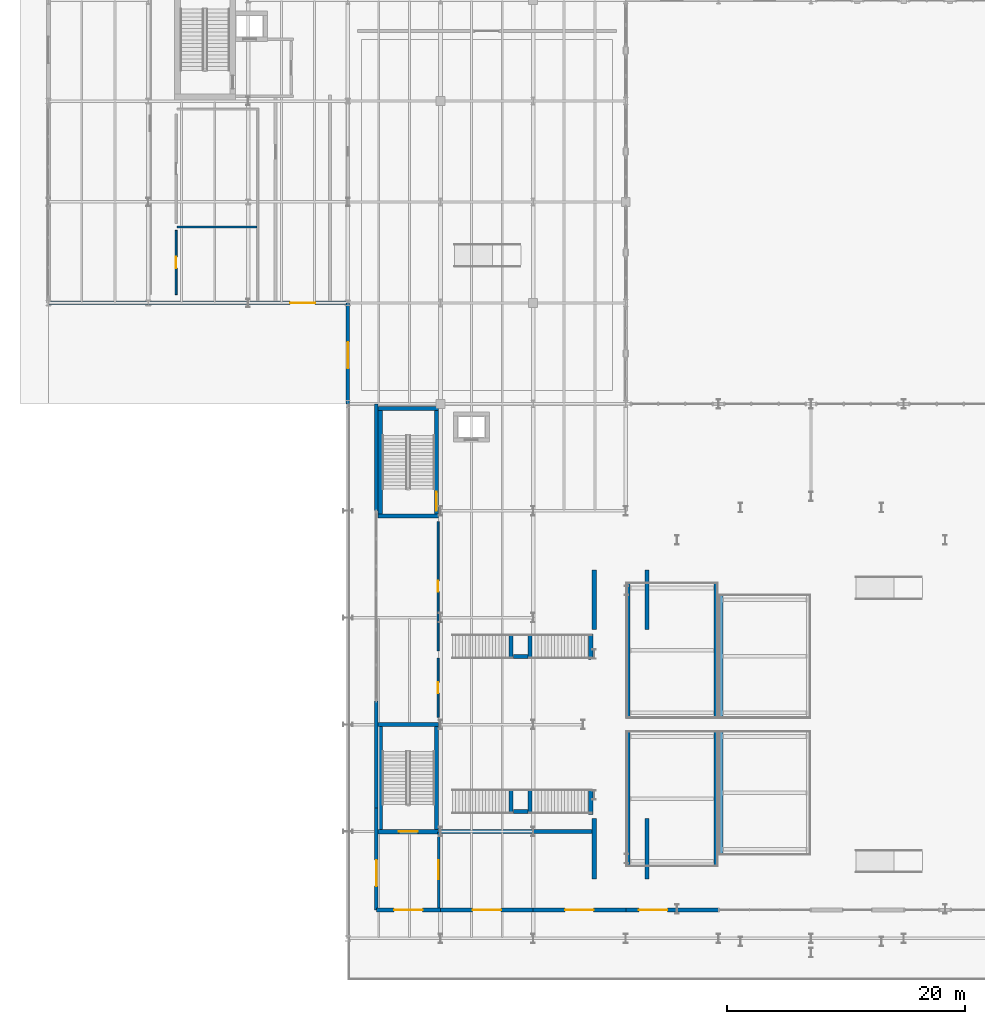
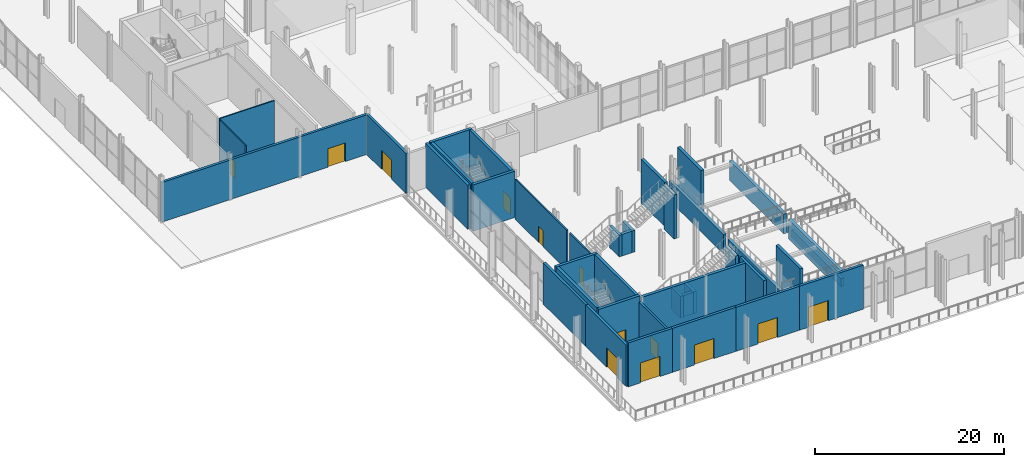
# One storey, part 55 of 84: 41 walls, 13 doors, 13 openings.
"""IFC4 building model written with IfcOpenShell, lengths in metres."""

from ifc_helpers import new_model, si_unit, direction, frame, frame_2d, origin, place, context, subcontext, project, spatial, rectangle, extrude, material, layer, layer_set, type_object, element, fill, save


model = new_model("IFC4")

# Units and contexts
model_context = context("Model", 3, precision=1e-05, world=origin(), true_north=direction((0.0, 1.0)))
body_context = subcontext(model_context, "Body", "Model", "MODEL_VIEW")
ifc_project = project(units=[si_unit("LENGTHUNIT", "METRE"), si_unit("AREAUNIT", "SQUARE_METRE"), si_unit("VOLUMEUNIT", "CUBIC_METRE"), si_unit("PLANEANGLEUNIT", "RADIAN"), si_unit("MASSUNIT", "GRAM", prefix="KILO")], contexts=[model_context])

# Site, building, storey
site_placement = place(None, origin())
site = spatial("IfcSite", under=ifc_project, at=site_placement, CompositionType="ELEMENT")
building_placement = place(site_placement, origin())
building = spatial("IfcBuilding", under=site, at=building_placement, Name="Sefraquen Railside Congress Hotel", CompositionType="ELEMENT")
storey_placement = place(building_placement, origin())
storey = spatial("IfcBuildingStorey", under=building, at=storey_placement, Name="L00", CompositionType="ELEMENT", Elevation=0.0)

# Wall
ifc_material_1 = material(Name="Concrete C50/60", Category="concrete")
ifc_layer_1 = layer(ifc_material_1, 0.35009765625)
ifc_layer_set_1 = layer_set([ifc_layer_1], Name="Concrete C50/60")
wall_type_1 = type_object("IfcWallType", Name="TW-CW-350", PredefinedType="SHEAR", material=ifc_layer_set_1)
wall_1_placement = place(storey_placement, frame((27.75, 27.014892578125, 0.0), z_axis=(0.0, 0.0, 1.0), x_axis=(1.0, 0.0, 0.0)))
element("IfcWall", 1, at=wall_1_placement, inside=storey, type_object=wall_type_1, Name="Core shear wall ST-C01 N L00", PredefinedType="SHEAR", context=body_context, shape_type="SweptSolid", body=[
    extrude(rectangle(XDim=5.10009765625, YDim=0.35009765625, at=frame_2d((2.550048828125, 0.0))), origin(), (0.0, 0.0, 1.0), 6.0),
])

# Wall, opening, door
wall_2_placement = place(storey_placement, frame((27.75, 17.985107421875, 0.0), z_axis=(0.0, 0.0, 1.0), x_axis=(1.0, 0.0, 0.0)))
wall_2 = element("IfcWall", 2, at=wall_2_placement, inside=storey, type_object=wall_type_1, Name="Core shear wall ST-C01 S L00", PredefinedType="SHEAR", context=body_context, shape_type="SweptSolid", body=[
    extrude(rectangle(XDim=5.10009765625, YDim=0.35009765625, at=frame_2d((2.550048828125, 0.0))), origin(), (0.0, 0.0, 1.0), 6.0),
])
opening_1_placement = place(wall_2_placement, frame((1.75, 0.0, 0.0)))
opening_1 = element("IfcOpeningElement", 3, at=opening_1_placement, cuts=wall_2, Name="Opening FD-02", PredefinedType="OPENING", context=body_context, shape_type="SweptSolid", body=[
    extrude(rectangle(XDim=1.60009765625, YDim=2.199951171875, at=frame_2d((0.800048828125, 1.10009765625))), frame((0.0, 0.18505859375, 0.0), z_axis=(0.0, -1.0, 0.0), x_axis=(1.0, 0.0, 0.0)), (0.0, 0.0, 1.0), 0.3701171875),
])
ifc_material_2 = material(Name="Fire-rated steel", Category="steel")
door_type_1 = type_object("IfcDoorType", Name="TD-FD-02", OperationType="NOTDEFINED", PredefinedType="DOOR", material=ifc_material_2)
door_1_placement = place(opening_1_placement, frame((1.60009765625, 0.0, 0.0), z_axis=(0.0, 0.0, 1.0), x_axis=(-1.0, 0.0, 0.0)))
door_1 = element("IfcDoor", 4, at=door_1_placement, inside=storey, type_object=door_type_1, Name="Pressurized stair ST-C01 fire door L00", OperationType="SINGLE_SWING_RIGHT", OverallHeight=2.199951171875, OverallWidth=1.60009765625, PredefinedType="DOOR", context=body_context, shape_type="SweptSolid", body=[
    extrude(rectangle(XDim=1.60009765625, YDim=2.199951171875, at=frame_2d((0.800048828125, 1.10009765625))), frame((0.0, 0.02490234375, 0.0), z_axis=(0.0, -1.0, 0.0), x_axis=(1.0, 0.0, 0.0)), (0.0, 0.0, 1.0), 0.050048828125),
])
fill(opening_1, door_1)

# Walls
for number, where, z_axis, x_axis, name in (
    (5, (27.925048828125, 18.159912109375, 0.0), (0.0, 0.0, 1.0), (0.0, 1.0, 0.0), "Core shear wall ST-C01 W L00"),
    (6, (32.675048828125, 18.159912109375, 0.0), (0.0, 0.0, 1.0), (0.0, 1.0, 0.0), "Core shear wall ST-C01 E L00"),
):
    element("IfcWall", number, at=place(storey_placement, frame(where, z_axis=z_axis, x_axis=x_axis)), inside=storey, type_object=wall_type_1, Name=name, PredefinedType="SHEAR", context=body_context, shape_type="SweptSolid", body=[
        extrude(rectangle(XDim=8.68017578125, YDim=0.35009765625, at=frame_2d((4.340087890625, 0.0))), origin(), (0.0, 0.0, 1.0), 6.0),
    ])
for number, where, z_axis, x_axis, name in (
    (7, (27.75, 53.60498046875, 0.0), (0.0, 0.0, 1.0), (1.0, 0.0, 0.0), "Core shear wall ST-C02 N L00"),
    (8, (27.75, 44.574951171875, 0.0), (0.0, 0.0, 1.0), (1.0, 0.0, 0.0), "Core shear wall ST-C02 S L00"),
):
    element("IfcWall", number, at=place(storey_placement, frame(where, z_axis=z_axis, x_axis=x_axis)), inside=storey, type_object=wall_type_1, Name=name, PredefinedType="SHEAR", context=body_context, shape_type="SweptSolid", body=[
        extrude(rectangle(XDim=5.10009765625, YDim=0.35009765625, at=frame_2d((2.550048828125, 0.0))), origin(), (0.0, 0.0, 1.0), 6.0),
    ])
wall_3_placement = place(storey_placement, frame((27.925048828125, 44.75, 0.0), z_axis=(0.0, 0.0, 1.0), x_axis=(0.0, 1.0, 0.0)))
element("IfcWall", 9, at=wall_3_placement, inside=storey, type_object=wall_type_1, Name="Core shear wall ST-C02 W L00", PredefinedType="SHEAR", context=body_context, shape_type="SweptSolid", body=[
    extrude(rectangle(XDim=8.679931640625, YDim=0.35009765625, at=frame_2d((4.33984375, 0.0))), origin(), (0.0, 0.0, 1.0), 6.0),
])

# Wall, opening, door
wall_4_placement = place(storey_placement, frame((32.675048828125, 44.75, 0.0), z_axis=(0.0, 0.0, 1.0), x_axis=(0.0, 1.0, 0.0)))
wall_4 = element("IfcWall", 10, at=wall_4_placement, inside=storey, type_object=wall_type_1, Name="Core shear wall ST-C02 E L00", PredefinedType="SHEAR", context=body_context, shape_type="SweptSolid", body=[
    extrude(rectangle(XDim=8.679931640625, YDim=0.35009765625, at=frame_2d((4.33984375, 0.0))), origin(), (0.0, 0.0, 1.0), 6.0),
])
opening_2_placement = place(wall_4_placement, frame((0.25, 0.0, 0.0)))
opening_2 = element("IfcOpeningElement", 11, at=opening_2_placement, cuts=wall_4, Name="Opening FD-02", PredefinedType="OPENING", context=body_context, shape_type="SweptSolid", body=[
    extrude(rectangle(XDim=1.60009765625, YDim=2.199951171875, at=frame_2d((0.800048828125, 1.10009765625))), frame((0.0, 0.18505859375, 0.0), z_axis=(0.0, -1.0, 0.0), x_axis=(1.0, 0.0, 0.0)), (0.0, 0.0, 1.0), 0.3701171875),
])
door_2_placement = place(opening_2_placement, origin())
door_2 = element("IfcDoor", 12, at=door_2_placement, inside=storey, type_object=door_type_1, Name="Pressurized stair ST-C02 fire door L00", OperationType="SINGLE_SWING_RIGHT", OverallHeight=2.199951171875, OverallWidth=1.60009765625, PredefinedType="DOOR", context=body_context, shape_type="SweptSolid", body=[
    extrude(rectangle(XDim=1.60009765625, YDim=2.199951171875, at=frame_2d((0.800048828125, 1.10009765625))), frame((0.0, 0.02490234375, 0.0), z_axis=(0.0, -1.0, 0.0), x_axis=(1.0, 0.0, 0.0)), (0.0, 0.0, 1.0), 0.050048828125),
])
fill(opening_2, door_2)

# Walls
for number, where, z_axis, x_axis, name in (
    (13, (56.60009765625, 16.0, 0.0), (0.0, 0.0, 1.0), (0.0, 1.0, 0.0), "Congress seating tier 1 W support wall"),
    (14, (56.60009765625, 27.5, 0.0), (0.0, 0.0, 1.0), (0.0, 1.0, 0.0), "Congress seating tier 2 W support wall"),
):
    element("IfcWall", number, at=place(storey_placement, frame(where, z_axis=z_axis, x_axis=x_axis)), inside=storey, type_object=wall_type_1, Name=name, PredefinedType="SHEAR", context=body_context, shape_type="SweptSolid", body=[
        extrude(rectangle(XDim=10.5, YDim=0.35009765625, at=frame_2d((5.25, 0.0))), origin(), (0.0, 0.0, 1.0), 1.0400390625),
    ])
for number, where, z_axis, x_axis, name in (
    (15, (48.800048828125, 15.0, 0.0), (0.0, 0.0, 1.0), (0.0, 1.0, 0.0), "Congress seating tier 3 W support wall"),
    (16, (56.199951171875, 15.0, 0.0), (0.0, 0.0, 1.0), (0.0, 1.0, 0.0), "Congress seating tier 3 E support wall"),
    (17, (48.800048828125, 27.5, 0.0), (0.0, 0.0, 1.0), (0.0, 1.0, 0.0), "Congress seating tier 4 W support wall"),
    (18, (56.199951171875, 27.5, 0.0), (0.0, 0.0, 1.0), (0.0, 1.0, 0.0), "Congress seating tier 4 E support wall"),
):
    element("IfcWall", number, at=place(storey_placement, frame(where, z_axis=z_axis, x_axis=x_axis)), inside=storey, type_object=wall_type_1, Name=name, PredefinedType="SHEAR", context=body_context, shape_type="SweptSolid", body=[
        extrude(rectangle(XDim=11.5, YDim=0.35009765625, at=frame_2d((5.75, 0.0))), origin(), (0.0, 0.0, 1.0), 2.5400390625),
    ])
for number, where, z_axis, x_axis, name in (
    (19, (45.949951171875, 14.0, 0.0), (0.0, 0.0, 1.0), (0.0, 1.0, 0.0), "Congress upper tier 1 L00 support wall W"),
    (20, (50.39990234375, 14.0, 0.0), (0.0, 0.0, 1.0), (0.0, 1.0, 0.0), "Congress upper tier 1 L00 support wall E"),
):
    element("IfcWall", number, at=place(storey_placement, frame(where, z_axis=z_axis, x_axis=x_axis)), inside=storey, type_object=wall_type_1, Name=name, PredefinedType="SHEAR", context=body_context, shape_type="SweptSolid", body=[
        extrude(rectangle(XDim=5.10009765625, YDim=0.35009765625, at=frame_2d((2.550048828125, 0.0))), origin(), (0.0, 0.0, 1.0), 5.699951171875),
    ])
for number, where, z_axis, x_axis, name in (
    (21, (45.949951171875, 35.0, 0.0), (0.0, 0.0, 1.0), (0.0, 1.0, 0.0), "Congress upper tier 2 L00 support wall W"),
    (22, (50.39990234375, 35.0, 0.0), (0.0, 0.0, 1.0), (0.0, 1.0, 0.0), "Congress upper tier 2 L00 support wall E"),
):
    element("IfcWall", number, at=place(storey_placement, frame(where, z_axis=z_axis, x_axis=x_axis)), inside=storey, type_object=wall_type_1, Name=name, PredefinedType="SHEAR", context=body_context, shape_type="SweptSolid", body=[
        extrude(rectangle(XDim=5.0, YDim=0.35009765625, at=frame_2d((2.5, 0.0))), origin(), (0.0, 0.0, 1.0), 5.699951171875),
    ])
wall_5_placement = place(storey_placement, frame((33.0, 18.0, 0.0), z_axis=(0.0, 0.0, 1.0), x_axis=(1.0, 0.0, 0.0)))
element("IfcWall", 23, at=wall_5_placement, inside=storey, type_object=wall_type_1, Name="Congress concourse interior shear wall", PredefinedType="SHEAR", context=body_context, shape_type="SweptSolid", body=[
    extrude(rectangle(XDim=12.77490234375, YDim=0.35009765625, at=frame_2d((6.387451171875, 0.0))), origin(), (0.0, 0.0, 1.0), 5.699951171875),
])
for number, where, z_axis, x_axis, name in (
    (24, (38.949951171875, 19.5, 0.0), (0.0, 0.0, 1.0), (0.0, 1.0, 0.0), "Congress Vomitory 1 mid-landing west support wall"),
    (25, (40.550048828125, 19.5, 0.0), (0.0, 0.0, 1.0), (0.0, 1.0, 0.0), "Congress Vomitory 1 mid-landing east support wall"),
):
    element("IfcWall", number, at=place(storey_placement, frame(where, z_axis=z_axis, x_axis=x_axis)), inside=storey, type_object=wall_type_1, Name=name, PredefinedType="SHEAR", context=body_context, shape_type="SweptSolid", body=[
        extrude(rectangle(XDim=2.050048828125, YDim=0.35009765625, at=frame_2d((1.02490234375, 0.0))), origin(), (0.0, 0.0, 1.0), 2.800048828125),
    ])
wall_6_placement = place(storey_placement, frame((39.1298828125, 19.679931640625, 0.0), z_axis=(0.0, 0.0, 1.0), x_axis=(1.0, 0.0, 0.0)))
element("IfcWall", 26, at=wall_6_placement, inside=storey, type_object=wall_type_1, Name="Congress Vomitory 1 mid-landing transverse wall", PredefinedType="SHEAR", context=body_context, shape_type="SweptSolid", body=[
    extrude(rectangle(XDim=1.240234375, YDim=0.35009765625, at=frame_2d((0.6201171875, 0.0))), origin(), (0.0, 0.0, 1.0), 2.800048828125),
])
wall_7_placement = place(storey_placement, frame((45.64990234375, 19.449951171875, 0.0), z_axis=(0.0, 0.0, 1.0), x_axis=(0.0, 1.0, 0.0)))
element("IfcWall", 27, at=wall_7_placement, inside=storey, type_object=wall_type_1, Name="Congress Vomitory 1 top arrival bearing wall", PredefinedType="SHEAR", context=body_context, shape_type="SweptSolid", body=[
    extrude(rectangle(XDim=2.150146484375, YDim=0.35009765625, at=frame_2d((1.0751953125, 0.0))), origin(), (0.0, 0.0, 1.0), 5.699951171875),
])
for number, where, z_axis, x_axis, name in (
    (28, (38.949951171875, 32.550048828125, 0.0), (0.0, 0.0, 1.0), (0.0, 1.0, 0.0), "Congress Vomitory 2 mid-landing west support wall"),
    (29, (40.550048828125, 32.550048828125, 0.0), (0.0, 0.0, 1.0), (0.0, 1.0, 0.0), "Congress Vomitory 2 mid-landing east support wall"),
):
    element("IfcWall", number, at=place(storey_placement, frame(where, z_axis=z_axis, x_axis=x_axis)), inside=storey, type_object=wall_type_1, Name=name, PredefinedType="SHEAR", context=body_context, shape_type="SweptSolid", body=[
        extrude(rectangle(XDim=2.050048828125, YDim=0.35009765625, at=frame_2d((1.02490234375, 0.0))), origin(), (0.0, 0.0, 1.0), 2.800048828125),
    ])
wall_8_placement = place(storey_placement, frame((39.1298828125, 32.72998046875, 0.0), z_axis=(0.0, 0.0, 1.0), x_axis=(1.0, 0.0, 0.0)))
element("IfcWall", 30, at=wall_8_placement, inside=storey, type_object=wall_type_1, Name="Congress Vomitory 2 mid-landing transverse wall", PredefinedType="SHEAR", context=body_context, shape_type="SweptSolid", body=[
    extrude(rectangle(XDim=1.240234375, YDim=0.35009765625, at=frame_2d((0.6201171875, 0.0))), origin(), (0.0, 0.0, 1.0), 2.800048828125),
])
wall_9_placement = place(storey_placement, frame((45.64990234375, 32.5, 0.0), z_axis=(0.0, 0.0, 1.0), x_axis=(0.0, 1.0, 0.0)))
element("IfcWall", 31, at=wall_9_placement, inside=storey, type_object=wall_type_1, Name="Congress Vomitory 2 top arrival bearing wall", PredefinedType="SHEAR", context=body_context, shape_type="SweptSolid", body=[
    extrude(rectangle(XDim=2.14990234375, YDim=0.35009765625, at=frame_2d((1.074951171875, 0.0))), origin(), (0.0, 0.0, 1.0), 5.699951171875),
])

# Wall, opening, door
ifc_material_3 = material(Name="Ochre Rabat calcarenite limestone and Concrete C40/50 backing", Category="masonry")
ifc_layer_2 = layer(ifc_material_3, 0.300048828125)
ifc_layer_set_2 = layer_set([ifc_layer_2], Name="Ochre Rabat calcarenite limestone and Concrete C40/50 backing")
wall_type_2 = type_object("IfcWallType", Name="TW-EW-300", PredefinedType="STANDARD", material=ifc_layer_set_2)
wall_10_placement = place(storey_placement, frame((0.0, 62.5, 0.0), z_axis=(0.0, 0.0, 1.0), x_axis=(1.0, 0.0, 0.0)))
wall_10 = element("IfcWall", 32, at=wall_10_placement, inside=storey, type_object=wall_type_2, Name="Hotel L00 south-west return wall", PredefinedType="STANDARD", context=body_context, shape_type="SweptSolid", body=[
    extrude(rectangle(XDim=25.199951171875, YDim=0.300048828125, at=frame_2d((12.60009765625, 0.0))), origin(), (0.0, 0.0, 1.0), 5.139892578125),
])
opening_3_placement = place(wall_10_placement, frame((20.35009765625, 0.0, 0.0)))
opening_3 = element("IfcOpeningElement", 33, at=opening_3_placement, cuts=wall_10, Name="Opening ED-05", PredefinedType="OPENING", context=body_context, shape_type="SweptSolid", body=[
    extrude(rectangle(XDim=2.10009765625, YDim=2.39990234375, at=frame_2d((1.050048828125, 1.199951171875))), frame((0.0, 0.159912109375, 0.0), z_axis=(0.0, -1.0, 0.0), x_axis=(1.0, 0.0, 0.0)), (0.0, 0.0, 1.0), 0.320068359375),
])
ifc_material_4 = material(Name="Painted steel and safety glass", Category="steel")
door_type_2 = type_object("IfcDoorType", Name="TD-ED-05", OperationType="NOTDEFINED", PredefinedType="DOOR", material=ifc_material_4)
door_3_placement = place(opening_3_placement, frame((2.10009765625, 0.0, 0.0), z_axis=(0.0, 0.0, 1.0), x_axis=(-1.0, 0.0, 0.0)))
door_3 = element("IfcDoor", 34, at=door_3_placement, inside=storey, type_object=door_type_2, Name="Hotel West stair final exit door", OperationType="DOUBLE_SWING_LEFT", OverallHeight=2.39990234375, OverallWidth=2.10009765625, PredefinedType="DOOR", context=body_context, shape_type="SweptSolid", body=[
    extrude(rectangle(XDim=2.10009765625, YDim=2.39990234375, at=frame_2d((1.050048828125, 1.199951171875))), frame((0.0, 0.02490234375, 0.0), z_axis=(0.0, -1.0, 0.0), x_axis=(1.0, 0.0, 0.0)), (0.0, 0.0, 1.0), 0.050048828125),
])
fill(opening_3, door_3)

wall_11_placement = place(storey_placement, frame((25.199951171875, 54.0, 0.0), z_axis=(0.0, 0.0, 1.0), x_axis=(0.0, 1.0, 0.0)))
wall_11 = element("IfcWall", 35, at=wall_11_placement, inside=storey, type_object=wall_type_2, Name="West Foyer L00 forecourt wall", PredefinedType="STANDARD", context=body_context, shape_type="SweptSolid", body=[
    extrude(rectangle(XDim=8.5, YDim=0.300048828125, at=frame_2d((4.25, 0.0))), origin(), (0.0, 0.0, 1.0), 5.199951171875),
])
opening_4_placement = place(wall_11_placement, frame((3.0, 0.0, 0.0)))
opening_4 = element("IfcOpeningElement", 36, at=opening_4_placement, cuts=wall_11, Name="Opening ED-03", PredefinedType="OPENING", context=body_context, shape_type="SweptSolid", body=[
    extrude(rectangle(XDim=2.199951171875, YDim=2.5, at=frame_2d((1.10009765625, 1.25))), frame((0.0, 0.159912109375, 0.0), z_axis=(0.0, -1.0, 0.0), x_axis=(1.0, 0.0, 0.0)), (0.0, 0.0, 1.0), 0.320068359375),
])
ifc_material_5 = material(Name="Bronze and fire-rated laminated glass", Category="glass")
door_type_3 = type_object("IfcDoorType", Name="TD-ED-03", OperationType="NOTDEFINED", PredefinedType="DOOR", material=ifc_material_5)
door_4_placement = place(opening_4_placement, origin())
door_4 = element("IfcDoor", 37, at=door_4_placement, inside=storey, type_object=door_type_3, Name="Exhibition Foyer forecourt final exit door 34", OperationType="DOUBLE_SWING_LEFT", OverallHeight=2.5, OverallWidth=2.199951171875, PredefinedType="DOOR", context=body_context, shape_type="SweptSolid", body=[
    extrude(rectangle(XDim=2.199951171875, YDim=2.5, at=frame_2d((1.10009765625, 1.25))), frame((0.0, 0.02490234375, 0.0), z_axis=(0.0, -1.0, 0.0), x_axis=(1.0, 0.0, 0.0)), (0.0, 0.0, 1.0), 0.050048828125),
])
fill(opening_4, door_4)

ifc_layer_3 = layer(ifc_material_3, 0.320068359375)
ifc_layer_set_3 = layer_set([ifc_layer_3], Name="Ochre Rabat calcarenite limestone and Concrete C40/50 backing")
wall_type_3 = type_object("IfcWallType", Name="TW-EW-320", PredefinedType="STANDARD", material=ifc_layer_set_3)
wall_12_placement = place(storey_placement, frame((27.60009765625, 11.39990234375, 0.0), z_axis=(0.0, 0.0, 1.0), x_axis=(1.0, 0.0, 0.0)))
wall_12 = element("IfcWall", 38, at=wall_12_placement, inside=storey, type_object=wall_type_3, Name="Congress colonnade arched portal wall 1", PredefinedType="STANDARD", context=body_context, shape_type="SweptSolid", body=[
    extrude(rectangle(XDim=5.39990234375, YDim=0.320068359375, at=frame_2d((2.699951171875, 0.0))), origin(), (0.0, 0.0, 1.0), 5.699951171875),
])
opening_5_placement = place(wall_12_placement, frame((1.5, 0.0, 0.0)))
opening_5 = element("IfcOpeningElement", 39, at=opening_5_placement, cuts=wall_12, Name="Opening ED-01", PredefinedType="OPENING", context=body_context, shape_type="SweptSolid", body=[
    extrude(rectangle(XDim=2.39990234375, YDim=2.60009765625, at=frame_2d((1.199951171875, 1.300048828125))), frame((0.0, 0.169921875, 0.0), z_axis=(0.0, -1.0, 0.0), x_axis=(1.0, 0.0, 0.0)), (0.0, 0.0, 1.0), 0.340087890625),
])
door_type_4 = type_object("IfcDoorType", Name="TD-ED-01", OperationType="NOTDEFINED", PredefinedType="DOOR", material=ifc_material_5)
door_5_placement = place(opening_5_placement, frame((2.39990234375, 0.0, 0.0), z_axis=(0.0, 0.0, 1.0), x_axis=(-1.0, 0.0, 0.0)))
door_5 = element("IfcDoor", 40, at=door_5_placement, inside=storey, type_object=door_type_4, Name="Congress Hall south final exit door 01", OperationType="DOUBLE_SWING_LEFT", OverallHeight=2.60009765625, OverallWidth=2.39990234375, PredefinedType="DOOR", context=body_context, shape_type="SweptSolid", body=[
    extrude(rectangle(XDim=2.39990234375, YDim=2.60009765625, at=frame_2d((1.199951171875, 1.300048828125))), frame((0.0, 0.02490234375, 0.0), z_axis=(0.0, -1.0, 0.0), x_axis=(1.0, 0.0, 0.0)), (0.0, 0.0, 1.0), 0.050048828125),
])
fill(opening_5, door_5)

wall_13_placement = place(storey_placement, frame((33.0, 11.39990234375, 0.0), z_axis=(0.0, 0.0, 1.0), x_axis=(1.0, 0.0, 0.0)))
wall_13 = element("IfcWall", 41, at=wall_13_placement, inside=storey, type_object=wall_type_3, Name="Congress colonnade arched portal wall 2", PredefinedType="STANDARD", context=body_context, shape_type="SweptSolid", body=[
    extrude(rectangle(XDim=7.800048828125, YDim=0.320068359375, at=frame_2d((3.89990234375, 0.0))), origin(), (0.0, 0.0, 1.0), 5.699951171875),
])
opening_6_placement = place(wall_13_placement, frame((2.699951171875, 0.0, 0.0)))
opening_6 = element("IfcOpeningElement", 42, at=opening_6_placement, cuts=wall_13, Name="Opening ED-01", PredefinedType="OPENING", context=body_context, shape_type="SweptSolid", body=[
    extrude(rectangle(XDim=2.39990234375, YDim=2.60009765625, at=frame_2d((1.199951171875, 1.300048828125))), frame((0.0, 0.169921875, 0.0), z_axis=(0.0, -1.0, 0.0), x_axis=(1.0, 0.0, 0.0)), (0.0, 0.0, 1.0), 0.340087890625),
])
door_6_placement = place(opening_6_placement, frame((2.39990234375, 0.0, 0.0), z_axis=(0.0, 0.0, 1.0), x_axis=(-1.0, 0.0, 0.0)))
door_6 = element("IfcDoor", 43, at=door_6_placement, inside=storey, type_object=door_type_4, Name="Congress Hall south final exit door 02", OperationType="DOUBLE_SWING_LEFT", OverallHeight=2.60009765625, OverallWidth=2.39990234375, PredefinedType="DOOR", context=body_context, shape_type="SweptSolid", body=[
    extrude(rectangle(XDim=2.39990234375, YDim=2.60009765625, at=frame_2d((1.199951171875, 1.300048828125))), frame((0.0, 0.02490234375, 0.0), z_axis=(0.0, -1.0, 0.0), x_axis=(1.0, 0.0, 0.0)), (0.0, 0.0, 1.0), 0.050048828125),
])
fill(opening_6, door_6)

wall_14_placement = place(storey_placement, frame((40.800048828125, 11.39990234375, 0.0), z_axis=(0.0, 0.0, 1.0), x_axis=(1.0, 0.0, 0.0)))
wall_14 = element("IfcWall", 44, at=wall_14_placement, inside=storey, type_object=wall_type_3, Name="Congress colonnade arched portal wall 3", PredefinedType="STANDARD", context=body_context, shape_type="SweptSolid", body=[
    extrude(rectangle(XDim=7.800048828125, YDim=0.320068359375, at=frame_2d((3.89990234375, 0.0))), origin(), (0.0, 0.0, 1.0), 5.699951171875),
])
opening_7_placement = place(wall_14_placement, frame((2.699951171875, 0.0, 0.0)))
opening_7 = element("IfcOpeningElement", 45, at=opening_7_placement, cuts=wall_14, Name="Opening ED-01", PredefinedType="OPENING", context=body_context, shape_type="SweptSolid", body=[
    extrude(rectangle(XDim=2.39990234375, YDim=2.60009765625, at=frame_2d((1.199951171875, 1.300048828125))), frame((0.0, 0.169921875, 0.0), z_axis=(0.0, -1.0, 0.0), x_axis=(1.0, 0.0, 0.0)), (0.0, 0.0, 1.0), 0.340087890625),
])
door_7_placement = place(opening_7_placement, frame((2.39990234375, 0.0, 0.0), z_axis=(0.0, 0.0, 1.0), x_axis=(-1.0, 0.0, 0.0)))
door_7 = element("IfcDoor", 46, at=door_7_placement, inside=storey, type_object=door_type_4, Name="Congress Hall south final exit door 03", OperationType="DOUBLE_SWING_LEFT", OverallHeight=2.60009765625, OverallWidth=2.39990234375, PredefinedType="DOOR", context=body_context, shape_type="SweptSolid", body=[
    extrude(rectangle(XDim=2.39990234375, YDim=2.60009765625, at=frame_2d((1.199951171875, 1.300048828125))), frame((0.0, 0.02490234375, 0.0), z_axis=(0.0, -1.0, 0.0), x_axis=(1.0, 0.0, 0.0)), (0.0, 0.0, 1.0), 0.050048828125),
])
fill(opening_7, door_7)

wall_15_placement = place(storey_placement, frame((48.60009765625, 11.39990234375, 0.0), z_axis=(0.0, 0.0, 1.0), x_axis=(1.0, 0.0, 0.0)))
wall_15 = element("IfcWall", 47, at=wall_15_placement, inside=storey, type_object=wall_type_3, Name="Congress colonnade arched portal wall 4", PredefinedType="STANDARD", context=body_context, shape_type="SweptSolid", body=[
    extrude(rectangle(XDim=7.7998046875, YDim=0.320068359375, at=frame_2d((3.89990234375, 0.0))), origin(), (0.0, 0.0, 1.0), 5.699951171875),
])
opening_8_placement = place(wall_15_placement, frame((1.10009765625, 0.0, 0.0)))
opening_8 = element("IfcOpeningElement", 48, at=opening_8_placement, cuts=wall_15, Name="Opening ED-01", PredefinedType="OPENING", context=body_context, shape_type="SweptSolid", body=[
    extrude(rectangle(XDim=2.39990234375, YDim=2.60009765625, at=frame_2d((1.199951171875, 1.300048828125))), frame((0.0, 0.169921875, 0.0), z_axis=(0.0, -1.0, 0.0), x_axis=(1.0, 0.0, 0.0)), (0.0, 0.0, 1.0), 0.340087890625),
])
door_8_placement = place(opening_8_placement, frame((2.39990234375, 0.0, 0.0), z_axis=(0.0, 0.0, 1.0), x_axis=(-1.0, 0.0, 0.0)))
door_8 = element("IfcDoor", 49, at=door_8_placement, inside=storey, type_object=door_type_4, Name="Congress Hall south final exit door 04", OperationType="DOUBLE_SWING_LEFT", OverallHeight=2.60009765625, OverallWidth=2.39990234375, PredefinedType="DOOR", context=body_context, shape_type="SweptSolid", body=[
    extrude(rectangle(XDim=2.39990234375, YDim=2.60009765625, at=frame_2d((1.199951171875, 1.300048828125))), frame((0.0, 0.02490234375, 0.0), z_axis=(0.0, -1.0, 0.0), x_axis=(1.0, 0.0, 0.0)), (0.0, 0.0, 1.0), 0.050048828125),
])
fill(opening_8, door_8)

wall_16_placement = place(storey_placement, frame((27.60009765625, 11.39990234375, 0.0), z_axis=(0.0, 0.0, 1.0), x_axis=(0.0, 1.0, 0.0)))
wall_16 = element("IfcWall", 50, at=wall_16_placement, inside=storey, type_object=wall_type_3, Name="Congress west arrival portal wall 1", PredefinedType="STANDARD", context=body_context, shape_type="SweptSolid", body=[
    extrude(rectangle(XDim=8.60009765625, YDim=0.320068359375, at=frame_2d((4.300048828125, 0.0))), origin(), (0.0, 0.0, 1.0), 5.360107421875),
])
opening_9_placement = place(wall_16_placement, frame((2.0, 0.0, 0.0)))
opening_9 = element("IfcOpeningElement", 51, at=opening_9_placement, cuts=wall_16, Name="Opening ED-03", PredefinedType="OPENING", context=body_context, shape_type="SweptSolid", body=[
    extrude(rectangle(XDim=2.199951171875, YDim=2.5, at=frame_2d((1.10009765625, 1.25))), frame((0.0, 0.169921875, 0.0), z_axis=(0.0, -1.0, 0.0), x_axis=(1.0, 0.0, 0.0)), (0.0, 0.0, 1.0), 0.340087890625),
])
door_9_placement = place(opening_9_placement, origin())
door_9 = element("IfcDoor", 52, at=door_9_placement, inside=storey, type_object=door_type_3, Name="Congress Hall west final exit door 09", OperationType="DOUBLE_SWING_LEFT", OverallHeight=2.5, OverallWidth=2.199951171875, PredefinedType="DOOR", context=body_context, shape_type="SweptSolid", body=[
    extrude(rectangle(XDim=2.199951171875, YDim=2.5, at=frame_2d((1.10009765625, 1.25))), frame((0.0, 0.02490234375, 0.0), z_axis=(0.0, -1.0, 0.0), x_axis=(1.0, 0.0, 0.0)), (0.0, 0.0, 1.0), 0.050048828125),
])
fill(opening_9, door_9)

# Walls
wall_17_placement = place(storey_placement, frame((27.60009765625, 20.0, 0.0), z_axis=(0.0, 0.0, 1.0), x_axis=(0.0, 1.0, 0.0)))
element("IfcWall", 53, at=wall_17_placement, inside=storey, type_object=wall_type_3, Name="Congress west core backing facade wall", PredefinedType="STANDARD", context=body_context, shape_type="SweptSolid", body=[
    extrude(rectangle(XDim=9.0, YDim=0.320068359375, at=frame_2d((4.5, 0.0))), origin(), (0.0, 0.0, 1.0), 5.360107421875),
])
wall_18_placement = place(storey_placement, frame((27.60009765625, 45.0, 0.0), z_axis=(0.0, 0.0, 1.0), x_axis=(0.0, 1.0, 0.0)))
element("IfcWall", 54, at=wall_18_placement, inside=storey, type_object=wall_type_3, Name="Congress west core backing facade wall", PredefinedType="STANDARD", context=body_context, shape_type="SweptSolid", body=[
    extrude(rectangle(XDim=9.0, YDim=0.320068359375, at=frame_2d((4.5, 0.0))), origin(), (0.0, 0.0, 1.0), 5.699951171875),
])

# Wall, opening, door
ifc_material_6 = material(Name="Concrete C40/50", Category="concrete")
ifc_layer_4 = layer(ifc_material_6, 0.239990234375)
ifc_layer_set_4 = layer_set([ifc_layer_4], Name="Concrete C40/50")
wall_type_4 = type_object("IfcWallType", Name="TW-FW-240", PredefinedType="STANDARD", material=ifc_layer_set_4)
wall_19_placement = place(storey_placement, frame((32.85009765625, 11.580078125, 0.0), z_axis=(0.0, 0.0, 1.0), x_axis=(0.0, 1.0, 0.0)))
wall_19 = element("IfcWall", 55, at=wall_19_placement, inside=storey, type_object=wall_type_4, Name="Congress SW stair discharge EI 120 fire wall", PredefinedType="STANDARD", context=body_context, shape_type="SweptSolid", body=[
    extrude(rectangle(XDim=6.369873046875, YDim=0.239990234375, at=frame_2d((3.18505859375, 0.0))), origin(), (0.0, 0.0, 1.0), 5.199951171875),
])
opening_10_placement = place(wall_19_placement, frame((2.39990234375, 0.0, 0.0)))
opening_10 = element("IfcOpeningElement", 56, at=opening_10_placement, cuts=wall_19, Name="Opening FD-02", PredefinedType="OPENING", context=body_context, shape_type="SweptSolid", body=[
    extrude(rectangle(XDim=1.60009765625, YDim=2.199951171875, at=frame_2d((0.800048828125, 1.10009765625))), frame((0.0, 0.1298828125, 0.0), z_axis=(0.0, -1.0, 0.0), x_axis=(1.0, 0.0, 0.0)), (0.0, 0.0, 1.0), 0.260009765625),
])
door_10_placement = place(opening_10_placement, origin())
door_10 = element("IfcDoor", 57, at=door_10_placement, inside=storey, type_object=door_type_1, Name="Congress SW stair discharge EI 120 fire wall self-closing fire door", OperationType="DOUBLE_SWING_LEFT", OverallHeight=2.199951171875, OverallWidth=1.60009765625, PredefinedType="DOOR", context=body_context, shape_type="SweptSolid", body=[
    extrude(rectangle(XDim=1.60009765625, YDim=2.199951171875, at=frame_2d((0.800048828125, 1.10009765625))), frame((0.0, 0.02490234375, 0.0), z_axis=(0.0, -1.0, 0.0), x_axis=(1.0, 0.0, 0.0)), (0.0, 0.0, 1.0), 0.050048828125),
])
fill(opening_10, door_10)

# Wall
ifc_material_7 = material(Name="Moisture-resistant gypsum board", Category="gypsum")
ifc_layer_5 = layer(ifc_material_7, 0.139892578125)
ifc_layer_set_5 = layer_set([ifc_layer_5], Name="Moisture-resistant gypsum board")
wall_type_5 = type_object("IfcWallType", Name="TW-PW-140", PredefinedType="PARTITIONING", material=ifc_layer_set_5)
wall_20_placement = place(storey_placement, frame((10.830078125, 68.89990234375, 0.0), z_axis=(0.0, 0.0, 1.0), x_axis=(1.0, 0.0, 0.0)))
element("IfcWall", 58, at=wall_20_placement, inside=storey, type_object=wall_type_5, Name="Hotel L00 accessible and staff WC dividing partition", PredefinedType="PARTITIONING", context=body_context, shape_type="SweptSolid", body=[
    extrude(rectangle(XDim=6.719970703125, YDim=0.139892578125, at=frame_2d((3.35986328125, 0.0))), origin(), (0.0, 0.0, 1.0), 5.699951171875),
])

# Wall, opening, door
ifc_layer_6 = layer(ifc_material_7, 0.159912109375)
ifc_layer_set_6 = layer_set([ifc_layer_6], Name="Moisture-resistant gypsum board")
wall_type_6 = type_object("IfcWallType", Name="TW-PW-160", PredefinedType="PARTITIONING", material=ifc_layer_set_6)
wall_21_placement = place(storey_placement, frame((32.800048828125, 27.60009765625, 0.0), z_axis=(0.0, 0.0, 1.0), x_axis=(0.0, 1.0, 0.0)))
wall_21 = element("IfcWall", 59, at=wall_21_placement, inside=storey, type_object=wall_type_6, Name="Congress Concourse Public Accessible WC enclosure wall", PredefinedType="PARTITIONING", context=body_context, shape_type="SweptSolid", body=[
    extrude(rectangle(XDim=5.0, YDim=0.159912109375, at=frame_2d((2.5, 0.0))), origin(), (0.0, 0.0, 1.0), 5.199951171875),
])
opening_11_placement = place(wall_21_placement, frame((2.030029296875, 0.0, 0.0)))
opening_11 = element("IfcOpeningElement", 60, at=opening_11_placement, cuts=wall_21, Name="Opening ID-01", PredefinedType="OPENING", context=body_context, shape_type="SweptSolid", body=[
    extrude(rectangle(XDim=0.93994140625, YDim=2.14990234375, at=frame_2d((0.469970703125, 1.074951171875))), frame((0.0, 0.08984375, 0.0), z_axis=(0.0, -1.0, 0.0), x_axis=(1.0, 0.0, 0.0)), (0.0, 0.0, 1.0), 0.179931640625),
])
ifc_material_8 = material(Name="Lacquered cedar joinery", Category="wood")
door_type_5 = type_object("IfcDoorType", Name="TD-ID-01", OperationType="NOTDEFINED", PredefinedType="DOOR", material=ifc_material_8)
door_11_placement = place(opening_11_placement, origin())
door_11 = element("IfcDoor", 61, at=door_11_placement, inside=storey, type_object=door_type_5, Name="Congress Concourse Public Accessible WC entrance door", OperationType="SINGLE_SWING_LEFT", OverallHeight=2.14990234375, OverallWidth=0.93994140625, PredefinedType="DOOR", context=body_context, shape_type="SweptSolid", body=[
    extrude(rectangle(XDim=0.93994140625, YDim=2.14990234375, at=frame_2d((0.469970703125, 1.074951171875))), frame((0.0, 0.02490234375, 0.0), z_axis=(0.0, -1.0, 0.0), x_axis=(1.0, 0.0, 0.0)), (0.0, 0.0, 1.0), 0.050048828125),
])
fill(opening_11, door_11)

wall_22_placement = place(storey_placement, frame((32.800048828125, 33.199951171875, 0.0), z_axis=(0.0, 0.0, 1.0), x_axis=(0.0, 1.0, 0.0)))
wall_22 = element("IfcWall", 62, at=wall_22_placement, inside=storey, type_object=wall_type_6, Name="Congress Concourse Public WC enclosure wall", PredefinedType="PARTITIONING", context=body_context, shape_type="SweptSolid", body=[
    extrude(rectangle(XDim=10.900146484375, YDim=0.159912109375, at=frame_2d((5.4501953125, 0.0))), origin(), (0.0, 0.0, 1.0), 5.199951171875),
])
opening_12_placement = place(wall_22_placement, frame((5.0, 0.0, 0.0)))
opening_12 = element("IfcOpeningElement", 63, at=opening_12_placement, cuts=wall_22, Name="Opening ID-02", PredefinedType="OPENING", context=body_context, shape_type="SweptSolid", body=[
    extrude(rectangle(XDim=0.89990234375, YDim=2.10009765625, at=frame_2d((0.449951171875, 1.050048828125))), frame((0.0, 0.08984375, 0.0), z_axis=(0.0, -1.0, 0.0), x_axis=(1.0, 0.0, 0.0)), (0.0, 0.0, 1.0), 0.179931640625),
])
door_type_6 = type_object("IfcDoorType", Name="TD-ID-02", OperationType="NOTDEFINED", PredefinedType="DOOR", material=ifc_material_8)
door_12_placement = place(opening_12_placement, origin())
door_12 = element("IfcDoor", 64, at=door_12_placement, inside=storey, type_object=door_type_6, Name="Congress Concourse Public WC entrance door", OperationType="SINGLE_SWING_RIGHT", OverallHeight=2.10009765625, OverallWidth=0.89990234375, PredefinedType="DOOR", context=body_context, shape_type="SweptSolid", body=[
    extrude(rectangle(XDim=0.89990234375, YDim=2.10009765625, at=frame_2d((0.449951171875, 1.050048828125))), frame((0.0, 0.02490234375, 0.0), z_axis=(0.0, -1.0, 0.0), x_axis=(1.0, 0.0, 0.0)), (0.0, 0.0, 1.0), 0.050048828125),
])
fill(opening_12, door_12)

wall_23_placement = place(storey_placement, frame((10.75, 63.199951171875, 0.0), z_axis=(0.0, 0.0, 1.0), x_axis=(0.0, 1.0, 0.0)))
wall_23 = element("IfcWall", 65, at=wall_23_placement, inside=storey, type_object=wall_type_6, Name="Hotel Arrival Public Accessible WC enclosure wall", PredefinedType="PARTITIONING", context=body_context, shape_type="SweptSolid", body=[
    extrude(rectangle(XDim=5.400146484375, YDim=0.159912109375, at=frame_2d((2.7001953125, 0.0))), origin(), (0.0, 0.0, 1.0), 5.699951171875),
])
opening_13_placement = place(wall_23_placement, frame((2.22998046875, 0.0, 0.0)))
opening_13 = element("IfcOpeningElement", 66, at=opening_13_placement, cuts=wall_23, Name="Opening ID-01", PredefinedType="OPENING", context=body_context, shape_type="SweptSolid", body=[
    extrude(rectangle(XDim=0.93994140625, YDim=2.14990234375, at=frame_2d((0.469970703125, 1.074951171875))), frame((0.0, 0.08984375, 0.0), z_axis=(0.0, -1.0, 0.0), x_axis=(1.0, 0.0, 0.0)), (0.0, 0.0, 1.0), 0.179931640625),
])
door_13_placement = place(opening_13_placement, origin())
door_13 = element("IfcDoor", 67, at=door_13_placement, inside=storey, type_object=door_type_5, Name="Hotel Arrival Public Accessible WC entrance door", OperationType="SINGLE_SWING_LEFT", OverallHeight=2.14990234375, OverallWidth=0.93994140625, PredefinedType="DOOR", context=body_context, shape_type="SweptSolid", body=[
    extrude(rectangle(XDim=0.93994140625, YDim=2.14990234375, at=frame_2d((0.469970703125, 1.074951171875))), frame((0.0, 0.02490234375, 0.0), z_axis=(0.0, -1.0, 0.0), x_axis=(1.0, 0.0, 0.0)), (0.0, 0.0, 1.0), 0.050048828125),
])
fill(opening_13, door_13)

save(model, "model.ifc")
